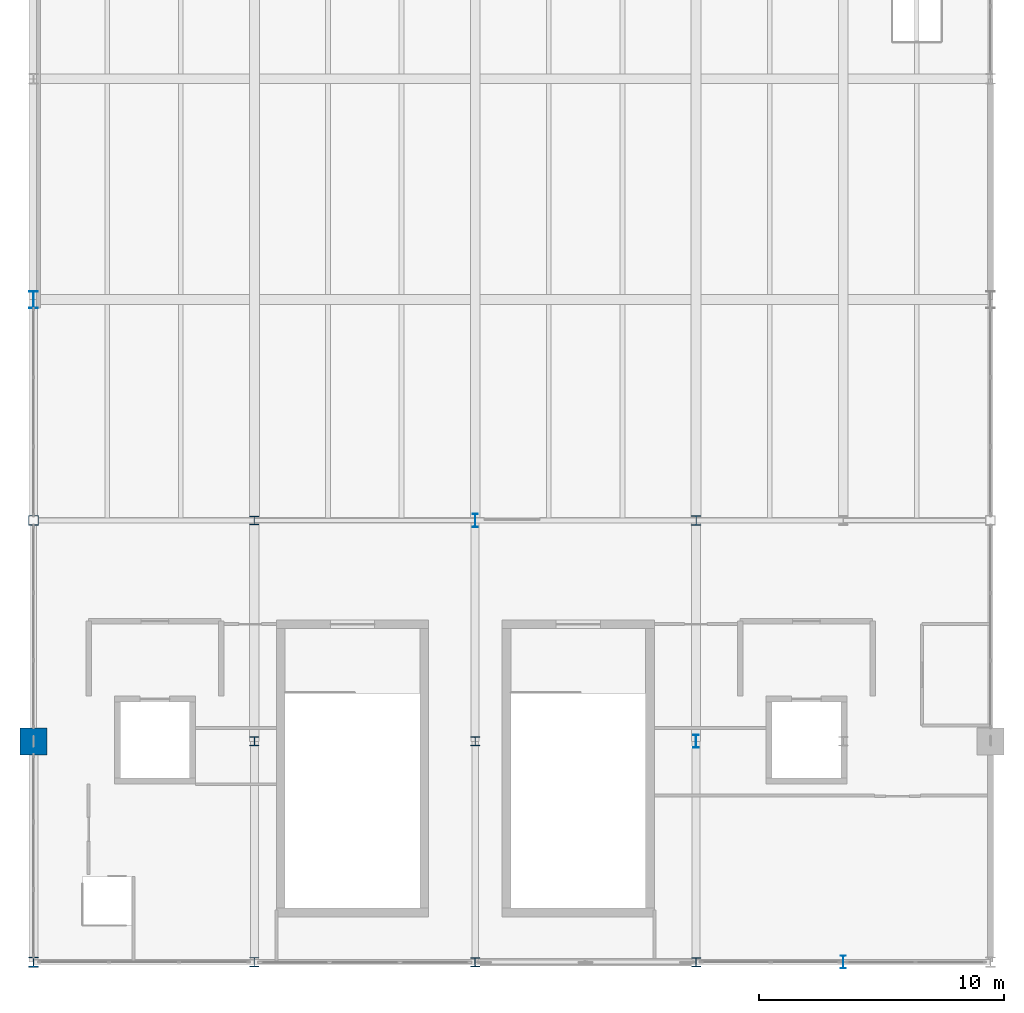
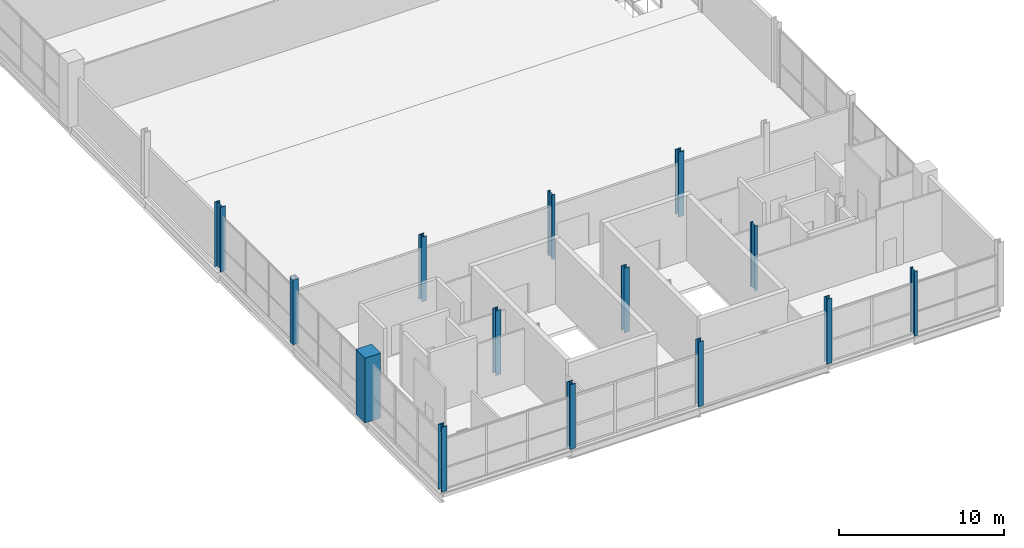
# One storey, part 1 of 29: 14 columns.
"""IFC4 building model written with IfcOpenShell, lengths in metres."""

from ifc_helpers import new_model, si_unit, direction, frame, origin, origin_2d, place, context, subcontext, project, spatial, rectangle, hollow_rectangle, i_section, extrude, material, material_profile, profile_set, type_object, element, save


model = new_model("IFC4")

# Units and contexts
model_context = context("Model", 3, precision=1e-05, world=origin(), true_north=direction((0.0, 1.0)))
body_context = subcontext(model_context, "Body", "Model", "MODEL_VIEW")
ifc_project = project(units=[si_unit("LENGTHUNIT", "METRE"), si_unit("AREAUNIT", "SQUARE_METRE"), si_unit("VOLUMEUNIT", "CUBIC_METRE"), si_unit("PLANEANGLEUNIT", "RADIAN"), si_unit("MASSUNIT", "GRAM", prefix="KILO")], contexts=[model_context])

# Site, building, storey
site_placement = place(None, origin())
site = spatial("IfcSite", under=ifc_project, at=site_placement, CompositionType="ELEMENT")
building_placement = place(site_placement, origin())
building = spatial("IfcBuilding", under=site, at=building_placement, Name="Qamarlyn Nura Convention Centre", CompositionType="ELEMENT")
storey_placement = place(building_placement, frame((0.0, 0.0, 25.199951171875)))
storey = spatial("IfcBuildingStorey", under=building, at=storey_placement, Name="L05", CompositionType="ELEMENT", Elevation=25.199951171875)

# Columns
ifc_material_1 = material(Name="Steel ASTM A500 Grade C", Category="steel")
ifc_material_profile_1 = material_profile(ifc_material_1, hollow_rectangle(XDim=0.39990234375, YDim=0.39990234375, WallThickness=0.01611328125, InnerFilletRadius=0.01611328125, OuterFilletRadius=0.031982421875, at=origin_2d()), Name="HSS400X400X16")
ifc_profile_set_1 = profile_set([ifc_material_profile_1], Name="Steel ASTM A500 Grade C")
column_type_1 = type_object("IfcColumnType", Name="COL-HSS-1", PredefinedType="COLUMN", material=ifc_profile_set_1)
column_1_placement = place(storey_placement, frame((153.0, 18.0, 0.0), z_axis=(0.0, 0.0, 1.0), x_axis=(1.0, 0.0, 0.0)))
element("IfcColumn", 1, at=column_1_placement, inside=storey, type_object=column_type_1, Name="L05 column 13/C", PredefinedType="COLUMN", context=body_context, shape_type="SweptSolid", body=[
    extrude(hollow_rectangle(XDim=0.39990234375, YDim=0.39990234375, WallThickness=0.01611328125, InnerFilletRadius=0.01611328125, OuterFilletRadius=0.031982421875, at=origin_2d()), origin(), (0.0, 0.0, 1.0), 4.800048828125),
])
ifc_material_2 = material(Name="Steel ASTM A992", Category="steel")
ifc_material_profile_2 = material_profile(ifc_material_2, i_section(OverallWidth=0.408935546875, OverallDepth=0.425048828125, WebThickness=0.030517578125, FlangeThickness=0.049072265625, FilletRadius=0.02001953125, at=origin_2d()), Name="W360X421")
ifc_profile_set_2 = profile_set([ifc_material_profile_2], Name="Steel ASTM A992")
column_type_2 = type_object("IfcColumnType", Name="COL-MEGA-1", PredefinedType="COLUMN", material=ifc_profile_set_2)
column_2_placement = place(storey_placement, frame((153.0, 0.0, 0.0), z_axis=(0.0, 0.0, 1.0), x_axis=(1.0, 0.0, 0.0)))
element("IfcColumn", 2, at=column_2_placement, inside=storey, type_object=column_type_2, Name="L05 column 13/A", PredefinedType="COLUMN", context=body_context, shape_type="SweptSolid", body=[
    extrude(i_section(OverallWidth=0.408935546875, OverallDepth=0.425048828125, WebThickness=0.030517578125, FlangeThickness=0.049072265625, FilletRadius=0.02001953125, at=origin_2d()), origin(), (0.0, 0.0, 1.0), 4.800048828125),
])
ifc_material_3 = material(Name="Concrete C50/60", Category="concrete")
ifc_material_profile_3 = material_profile(ifc_material_3, rectangle(XDim=1.10009765625, YDim=1.10009765625, at=origin_2d()), Name="RC 1100x1100")
ifc_profile_set_3 = profile_set([ifc_material_profile_3], Name="Concrete C50/60")
column_type_3 = type_object("IfcColumnType", Name="COL-MEGA-2", PredefinedType="COLUMN", material=ifc_profile_set_3)
column_3_placement = place(storey_placement, frame((153.0, 9.0, 0.0), z_axis=(0.0, 0.0, 1.0), x_axis=(1.0, 0.0, 0.0)))
element("IfcColumn", 3, at=column_3_placement, inside=storey, type_object=column_type_3, Name="L05 column 13/B", PredefinedType="COLUMN", context=body_context, shape_type="SweptSolid", body=[
    extrude(rectangle(XDim=1.10009765625, YDim=1.10009765625, at=origin_2d()), origin(), (0.0, 0.0, 1.0), 4.800048828125),
])
ifc_material_profile_4 = material_profile(ifc_material_2, i_section(OverallWidth=0.39892578125, OverallDepth=0.39306640625, WebThickness=0.022705078125, FlangeThickness=0.03662109375, FilletRadius=0.01806640625, at=origin_2d()), Name="W360X287")
ifc_profile_set_4 = profile_set([ifc_material_profile_4], Name="Steel ASTM A992")
column_type_4 = type_object("IfcColumnType", Name="COL-WING-1", PredefinedType="COLUMN", material=ifc_profile_set_4)
for number, where, z_axis, x_axis, name in (
    (4, (162.0, 0.0, 0.0), (0.0, 0.0, 1.0), (1.0, 0.0, 0.0), "L05 column 14/A"),
    (5, (180.0, 18.0, 0.0), (0.0, 0.0, 1.0), (1.0, 0.0, 0.0), "L05 column 16/C"),
):
    element("IfcColumn", number, at=place(storey_placement, frame(where, z_axis=z_axis, x_axis=x_axis)), inside=storey, type_object=column_type_4, Name=name, PredefinedType="COLUMN", context=body_context, shape_type="SweptSolid", body=[
        extrude(i_section(OverallWidth=0.39892578125, OverallDepth=0.39306640625, WebThickness=0.022705078125, FlangeThickness=0.03662109375, FilletRadius=0.01806640625, at=origin_2d()), origin(), (0.0, 0.0, 1.0), 4.800048828125),
    ])
ifc_material_profile_5 = material_profile(ifc_material_2, i_section(OverallWidth=0.3740234375, OverallDepth=0.3720703125, WebThickness=0.016357421875, FlangeThickness=0.026123046875, FilletRadius=0.01611328125, at=origin_2d()), Name="W360X196")
ifc_profile_set_5 = profile_set([ifc_material_profile_5], Name="Steel ASTM A992")
column_type_5 = type_object("IfcColumnType", Name="COL-WING-2", PredefinedType="COLUMN", material=ifc_profile_set_5)
for number, where, z_axis, x_axis, name in (
    (6, (162.0, 9.0, 0.0), (0.0, 0.0, 1.0), (1.0, 0.0, 0.0), "L05 column 14/B"),
    (7, (171.0, 0.0, 0.0), (0.0, 0.0, 1.0), (1.0, 0.0, 0.0), "L05 column 15/A"),
):
    element("IfcColumn", number, at=place(storey_placement, frame(where, z_axis=z_axis, x_axis=x_axis)), inside=storey, type_object=column_type_5, Name=name, PredefinedType="COLUMN", context=body_context, shape_type="SweptSolid", body=[
        extrude(i_section(OverallWidth=0.3740234375, OverallDepth=0.3720703125, WebThickness=0.016357421875, FlangeThickness=0.026123046875, FilletRadius=0.01611328125, at=origin_2d()), origin(), (0.0, 0.0, 1.0), 4.800048828125),
    ])
ifc_material_profile_6 = material_profile(ifc_material_2, i_section(OverallWidth=0.368896484375, OverallDepth=0.35595703125, WebThickness=0.01123046875, FlangeThickness=0.01806640625, FilletRadius=0.014892578125, at=origin_2d()), Name="W360X134")
ifc_profile_set_6 = profile_set([ifc_material_profile_6], Name="Steel ASTM A992")
column_type_6 = type_object("IfcColumnType", Name="COL-WING-3", PredefinedType="COLUMN", material=ifc_profile_set_6)
for number, where, z_axis, x_axis, name in (
    (8, (162.0, 18.0, 0.0), (0.0, 0.0, 1.0), (1.0, 0.0, 0.0), "L05 column 14/C"),
    (9, (171.0, 9.0, 0.0), (0.0, 0.0, 1.0), (1.0, 0.0, 0.0), "L05 column 15/B"),
    (10, (180.0, 0.0, 0.0), (0.0, 0.0, 1.0), (1.0, 0.0, 0.0), "L05 column 16/A"),
):
    element("IfcColumn", number, at=place(storey_placement, frame(where, z_axis=z_axis, x_axis=x_axis)), inside=storey, type_object=column_type_6, Name=name, PredefinedType="COLUMN", context=body_context, shape_type="SweptSolid", body=[
        extrude(i_section(OverallWidth=0.368896484375, OverallDepth=0.35595703125, WebThickness=0.01123046875, FlangeThickness=0.01806640625, FilletRadius=0.014892578125, at=origin_2d()), origin(), (0.0, 0.0, 1.0), 4.800048828125),
    ])
ifc_material_profile_7 = material_profile(ifc_material_2, i_section(OverallWidth=0.35498046875, OverallDepth=0.695068359375, WebThickness=0.015380859375, FlangeThickness=0.02490234375, FilletRadius=0.01806640625, at=origin_2d()), Name="W690X217")
ifc_profile_set_7 = profile_set([ifc_material_profile_7], Name="Steel ASTM A992")
column_type_7 = type_object("IfcColumnType", Name="COL-WING-5", PredefinedType="COLUMN", material=ifc_profile_set_7)
column_4_placement = place(storey_placement, frame((153.0, 27.0, 0.0), z_axis=(0.0, 0.0, 1.0), x_axis=(1.0, 0.0, 0.0)))
element("IfcColumn", 11, at=column_4_placement, inside=storey, type_object=column_type_7, Name="L05 column 13/D", PredefinedType="COLUMN", context=body_context, shape_type="SweptSolid", body=[
    extrude(i_section(OverallWidth=0.35498046875, OverallDepth=0.695068359375, WebThickness=0.015380859375, FlangeThickness=0.02490234375, FilletRadius=0.01806640625, at=origin_2d()), origin(), (0.0, 0.0, 1.0), 4.800048828125),
])
ifc_material_profile_8 = material_profile(ifc_material_2, i_section(OverallWidth=0.2109375, OverallDepth=0.5390625, WebThickness=0.01171875, FlangeThickness=0.018798828125, FilletRadius=0.013916015625, at=origin_2d()), Name="W530X109")
ifc_profile_set_8 = profile_set([ifc_material_profile_8], Name="Steel ASTM A992")
column_type_8 = type_object("IfcColumnType", Name="COL-WING-7", PredefinedType="COLUMN", material=ifc_profile_set_8)
for number, where, z_axis, x_axis, name in (
    (12, (171.0, 18.0, 0.0), (0.0, 0.0, 1.0), (1.0, 0.0, 0.0), "L05 column 15/C"),
    (13, (180.0, 9.0, 0.0), (0.0, 0.0, 1.0), (1.0, 0.0, 0.0), "L05 column 16/B"),
    (14, (186.0, 0.0, 0.0), (0.0, 0.0, 1.0), (1.0, 0.0, 0.0), "L05 column 17/A"),
):
    element("IfcColumn", number, at=place(storey_placement, frame(where, z_axis=z_axis, x_axis=x_axis)), inside=storey, type_object=column_type_8, Name=name, PredefinedType="COLUMN", context=body_context, shape_type="SweptSolid", body=[
        extrude(i_section(OverallWidth=0.2109375, OverallDepth=0.5390625, WebThickness=0.01171875, FlangeThickness=0.018798828125, FilletRadius=0.013916015625, at=origin_2d()), origin(), (0.0, 0.0, 1.0), 4.800048828125),
    ])

save(model, "model.ifc")
